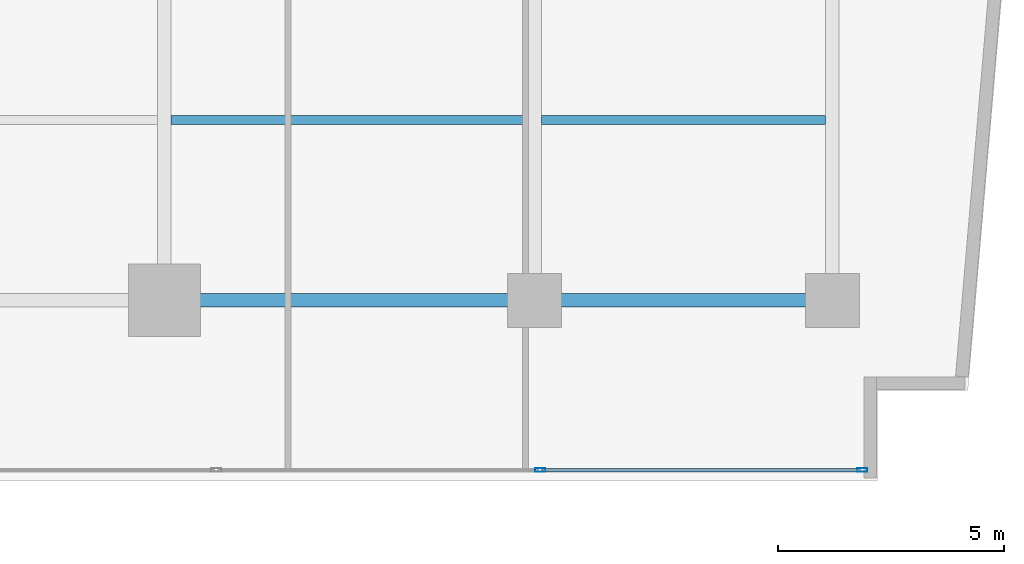
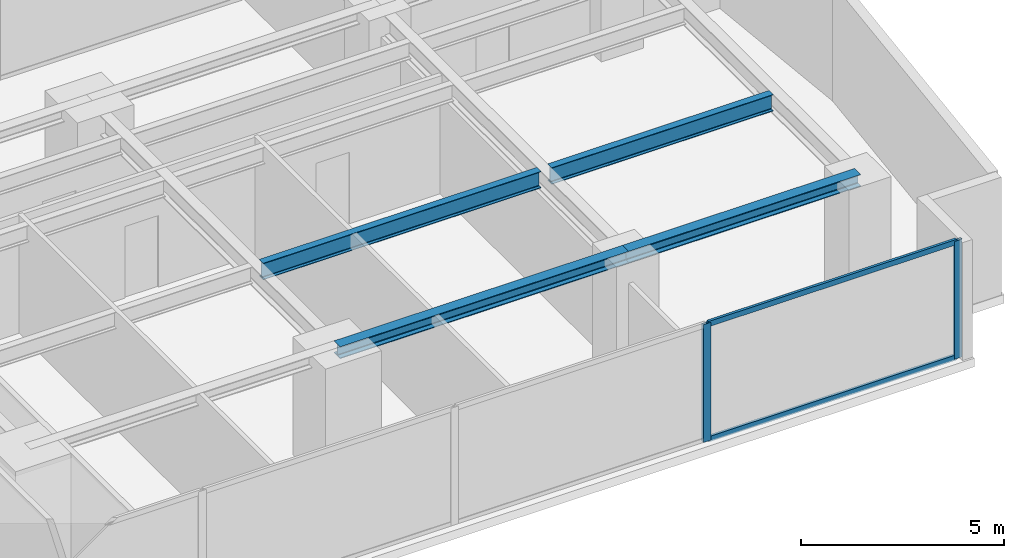
# One storey, part 11 of 27: 4 beams, 4 members, 1 element without a shape of its own.
"""IFC4 building model written with IfcOpenShell, lengths in metres."""

from ifc_helpers import new_model, si_unit, direction, frame, origin, origin_with_axes, origin_2d, place, context, subcontext, project, spatial, hollow_rectangle, i_section, extrude, source, transform, mapped, material, layer, layer_set, material_profile, profile_set, type_object, element, aggregate, save


model = new_model("IFC4")

# Units and contexts
model_context = context("Model", 3, precision=1e-05, world=origin(), true_north=direction((0.0, 1.0)))
body_context = subcontext(model_context, "Body", "Model", "MODEL_VIEW")
ifc_project = project(units=[si_unit("LENGTHUNIT", "METRE"), si_unit("AREAUNIT", "SQUARE_METRE"), si_unit("VOLUMEUNIT", "CUBIC_METRE"), si_unit("PLANEANGLEUNIT", "RADIAN"), si_unit("MASSUNIT", "GRAM", prefix="KILO")], contexts=[model_context])

# Site, building, storey
site_placement = place(None, origin())
site = spatial("IfcSite", under=ifc_project, at=site_placement, CompositionType="ELEMENT")
building_placement = place(site_placement, origin())
building = spatial("IfcBuilding", under=site, at=building_placement, Name="Kolvaren Waterfront Exchange", CompositionType="ELEMENT")
storey_placement = place(building_placement, frame((0.0, 0.0, 60.0)))
storey = spatial("IfcBuildingStorey", under=building, at=storey_placement, Name="L15", CompositionType="ELEMENT", Elevation=60.0)

# Beams
ifc_material_1 = material(Name="Steel S355", Category="steel")
ifc_material_profile_1 = material_profile(ifc_material_1, i_section(OverallWidth=0.300048828125, OverallDepth=0.360107421875, WebThickness=0.012451171875, FlangeThickness=0.0224609375, FilletRadius=0.027099609375, at=origin_2d()), Name="HEB360")
ifc_profile_set_1 = profile_set([ifc_material_profile_1], Name="Steel S355")
beam_type_1 = type_object("IfcBeamType", Name="STR-BM-HEB360", PredefinedType="SPANDREL", material=ifc_profile_set_1)
beam_1_placement = place(storey_placement, frame((45.60009765625, 5.199951171875, 3.360107421875), z_axis=(1.0, 0.0, 0.0), x_axis=(0.0, 1.0, 0.0)))
element("IfcBeam", 1, at=beam_1_placement, inside=storey, type_object=beam_type_1, Name="L15 east-arm spandrel S4", PredefinedType="SPANDREL", context=body_context, shape_type="SweptSolid", body=[
    extrude(i_section(OverallWidth=0.300048828125, OverallDepth=0.360107421875, WebThickness=0.012451171875, FlangeThickness=0.0224609375, FilletRadius=0.027099609375, at=origin_2d()), origin(), (0.0, 0.0, 1.0), 8.199951171875),
])
beam_2_placement = place(storey_placement, frame((53.800048828125, 5.199951171875, 3.360107421875), z_axis=(1.0, 0.0, 0.0), x_axis=(0.0, 1.0, 0.0)))
element("IfcBeam", 2, at=beam_2_placement, inside=storey, type_object=beam_type_1, Name="L15 east-arm spandrel S5", PredefinedType="SPANDREL", context=body_context, shape_type="SweptSolid", body=[
    extrude(i_section(OverallWidth=0.300048828125, OverallDepth=0.360107421875, WebThickness=0.012451171875, FlangeThickness=0.0224609375, FilletRadius=0.027099609375, at=origin_2d()), origin(), (0.0, 0.0, 1.0), 6.599853515625),
])
ifc_material_profile_2 = material_profile(ifc_material_1, i_section(OverallWidth=0.199951171875, OverallDepth=0.5, WebThickness=0.01025390625, FlangeThickness=0.01611328125, FilletRadius=0.02099609375, at=origin_2d()), Name="IPE500")
ifc_profile_set_2 = profile_set([ifc_material_profile_2], Name="Steel S355")
beam_type_2 = type_object("IfcBeamType", Name="STR-BM-IPE500", PredefinedType="JOIST", material=ifc_profile_set_2)
beam_3_placement = place(storey_placement, frame((45.751953125, 9.199951171875, 3.2900390625), z_axis=(1.0, 0.0, 0.0), x_axis=(0.0, 1.0, 0.0)))
element("IfcBeam", 3, at=beam_3_placement, inside=storey, type_object=beam_type_2, Name="L15 east-arm composite joist 4B", PredefinedType="JOIST", context=body_context, shape_type="SweptSolid", body=[
    extrude(i_section(OverallWidth=0.199951171875, OverallDepth=0.5, WebThickness=0.01025390625, FlangeThickness=0.01611328125, FilletRadius=0.02099609375, at=origin_2d()), origin(), (0.0, 0.0, 1.0), 7.89599609375),
])
beam_4_placement = place(storey_placement, frame((53.951904296875, 9.199951171875, 3.2900390625), z_axis=(1.0, 0.0, 0.0), x_axis=(0.0, 1.0, 0.0)))
element("IfcBeam", 4, at=beam_4_placement, inside=storey, type_object=beam_type_2, Name="L15 east-arm composite joist 5B", PredefinedType="JOIST", context=body_context, shape_type="SweptSolid", body=[
    extrude(i_section(OverallWidth=0.199951171875, OverallDepth=0.5, WebThickness=0.01025390625, FlangeThickness=0.01611328125, FilletRadius=0.02099609375, at=origin_2d()), origin(), (0.0, 0.0, 1.0), 6.296142578125),
])

# Curtain wall, members
ifc_material_2 = material(Name="Anodised bronze aluminium 6063-T6", Category="aluminium")
ifc_layer = layer(ifc_material_2, 0.219970703125, Name="Anodised bronze aluminium 6063-T6")
ifc_layer_set = layer_set([ifc_layer], Name="Anodised bronze aluminium 6063-T6")
curtain_wall_type = type_object("IfcCurtainWallType", Name="ARC-CW-SYS1", PredefinedType="USERDEFINED", material=ifc_layer_set)
curtain_wall_placement = place(storey_placement, origin())
curtain_wall = element("IfcCurtainWall", 5, at=curtain_wall_placement, inside=storey, type_object=curtain_wall_type, Name="L15 stick curtain wall CW1 (CW-L15-S)", ObjectType="STICK CURTAIN WALL", PredefinedType="USERDEFINED")
ifc_material_3 = material(Name="Anodised aluminium 6063-T6", Category="aluminium")
ifc_material_profile_3 = material_profile(ifc_material_3, hollow_rectangle(XDim=0.074951171875, YDim=0.159912109375, WallThickness=0.00439453125, at=origin_2d()), Name="ALU-TRN-160x75x4.5")
ifc_profile_set_3 = profile_set([ifc_material_profile_3], Name="Anodised aluminium 6063-T6")
member_type_1 = type_object("IfcMemberType", Name="ARC-CWT-160", PredefinedType="USERDEFINED", material=ifc_profile_set_3)
shared_shape_1 = source(origin_with_axes(), body_context, "Body", "SweptSolid", [
    extrude(hollow_rectangle(XDim=0.074951171875, YDim=0.159912109375, WallThickness=0.00439453125, at=origin_2d()), origin(), (0.0, 0.0, 1.0), 7.054931640625),
])
member_1_placement = place(storey_placement, frame((53.965087890625, 1.43994140625, 0.03759765625), z_axis=(1.0, 0.0, 0.0), x_axis=(0.0, 1.0, 0.0)))
member_1 = element("IfcMember", 6, at=member_1_placement, type_object=member_type_1, Name="CW1 transom 8.1", ObjectType="TRANSOM", PredefinedType="USERDEFINED", context=body_context, shape_type="MappedRepresentation", body=[
    mapped(shared_shape_1, transform((0.0, 0.0, 0.0), x_axis=(1.0, 0.0, 0.0), y_axis=(0.0, 1.0, 0.0), z_axis=(0.0, 0.0, 1.0), scale=1.0)),
])
member_2_placement = place(storey_placement, frame((53.965087890625, 1.43994140625, 3.50244140625), z_axis=(1.0, 0.0, 0.0), x_axis=(0.0, 1.0, 0.0)))
member_2 = element("IfcMember", 7, at=member_2_placement, type_object=member_type_1, Name="CW1 transom 8.2", ObjectType="TRANSOM", PredefinedType="USERDEFINED", context=body_context, shape_type="MappedRepresentation", body=[
    mapped(shared_shape_1, transform((0.0, 0.0, 0.0), x_axis=(1.0, 0.0, 0.0), y_axis=(0.0, 1.0, 0.0), z_axis=(0.0, 0.0, 1.0), scale=1.0)),
])
ifc_material_profile_4 = material_profile(ifc_material_3, hollow_rectangle(XDim=0.080078125, YDim=0.219970703125, WallThickness=0.0048828125, at=origin_2d()), Name="ALU-MUL-220x80x5")
ifc_profile_set_4 = profile_set([ifc_material_profile_4], Name="Anodised aluminium 6063-T6")
member_type_2 = type_object("IfcMemberType", Name="ARC-CWM-220", PredefinedType="MULLION", material=ifc_profile_set_4)
shared_shape_2 = source(origin_with_axes(), body_context, "Body", "SweptSolid", [
    extrude(hollow_rectangle(XDim=0.080078125, YDim=0.219970703125, WallThickness=0.0048828125, at=origin_2d()), origin(), (0.0, 0.0, 1.0), 3.5400390625),
])
member_3_placement = place(storey_placement, frame((53.925048828125, 1.43994140625, 0.0), z_axis=(0.0, 0.0, 1.0), x_axis=(0.0, 1.0, 0.0)))
member_3 = element("IfcMember", 8, at=member_3_placement, type_object=member_type_2, Name="CW1 mullion 8", PredefinedType="MULLION", context=body_context, shape_type="MappedRepresentation", body=[
    mapped(shared_shape_2, transform((0.0, 0.0, 0.0), x_axis=(1.0, 0.0, 0.0), y_axis=(0.0, 1.0, 0.0), z_axis=(0.0, 0.0, 1.0), scale=1.0)),
])
member_4_placement = place(storey_placement, frame((61.06005859375, 1.43994140625, 0.0), z_axis=(0.0, 0.0, 1.0), x_axis=(0.0, 1.0, 0.0)))
member_4 = element("IfcMember", 9, at=member_4_placement, type_object=member_type_2, Name="CW1 mullion 9", PredefinedType="MULLION", context=body_context, shape_type="MappedRepresentation", body=[
    mapped(shared_shape_2, transform((0.0, 0.0, 0.0), x_axis=(1.0, 0.0, 0.0), y_axis=(0.0, 1.0, 0.0), z_axis=(0.0, 0.0, 1.0), scale=1.0)),
])
aggregate(curtain_wall, [member_3, member_4, member_1, member_2])

save(model, "model.ifc")
